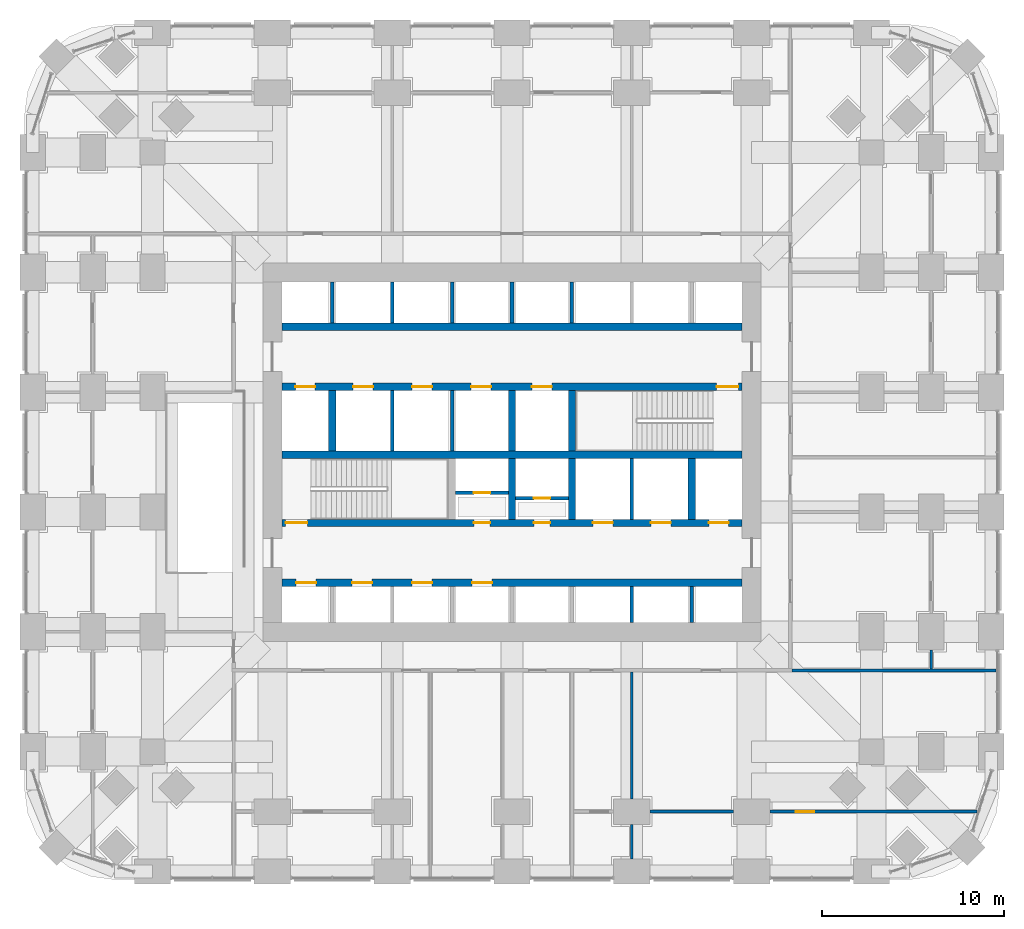
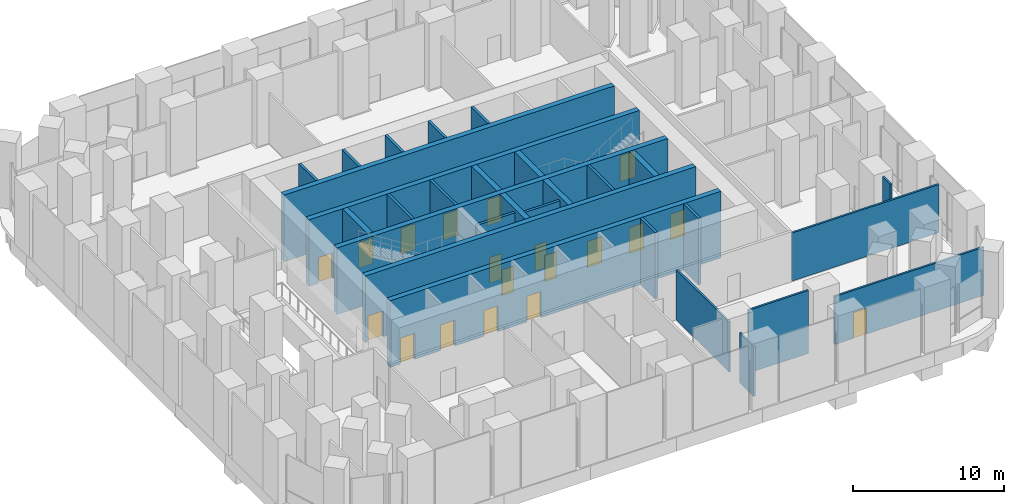
# One storey, part 12 of 17: 29 walls, 19 doors, 19 openings.
"""IFC4 building model written with IfcOpenShell, lengths in metres."""

import ifcopenshell
import ifcopenshell.guid

model = None  # the IFC model being written
_history = None  # IfcOwnerHistory: only IFC2X3 demands one
_inside = {}  # id of a spatial element -> (the spatial element, [elements in it])
_under = {}  # id of a project, library or spatial element -> (it, [spatial elements below it])
_declared = {}  # id of a project -> (the project, [libraries it declares])
_typed = {}  # id of a type object -> (the type object, [elements of that type])
_made_of = {}  # id of a material, layer set ... -> (it, [elements and type objects made of it])


def new_model(schema):
    """Start an empty IFC model of exactly this schema.

    Asked for "IFC4X3", IfcOpenShell would pick the latest addendum, in which some entities
    have other attributes; the version numbers below select the first issue.
    IFC2X3 requires an IfcOwnerHistory on every rooted entity: one is made here for all.
    """
    global model, _history
    if schema == "IFC4X3":
        model = ifcopenshell.file(schema_version=(4, 3, 0, 0))
    else:
        model = ifcopenshell.file(schema=schema)
    _inside.clear()
    _under.clear()
    _declared.clear()
    _typed.clear()
    _made_of.clear()
    _history = None
    if model.schema == "IFC2X3":
        org = make("IfcOrganization", Name="unknown")
        user = make(
            "IfcPersonAndOrganization",
            ThePerson=make("IfcPerson", FamilyName="unknown"),
            TheOrganization=org,
        )
        app = make(
            "IfcApplication",
            ApplicationDeveloper=org,
            Version="unknown",
            ApplicationFullName="unknown",
            ApplicationIdentifier="unknown",
        )
        _history = make(
            "IfcOwnerHistory",
            OwningUser=user,
            OwningApplication=app,
            ChangeAction="ADDED",
            CreationDate=0,
        )
    return model


def make(cls, **values):
    """One entity of the class cls with the attributes given. An attribute that is None is left unset."""
    return model.create_entity(
        cls, **{name: value for name, value in values.items() if value is not None}
    )


def rooted(cls, **values):
    """An entity with a GlobalId (a new one), such as an element, a storey or a relation."""
    return make(cls, GlobalId=ifcopenshell.guid.new(), OwnerHistory=_history, **values)


def si_unit(unit_type, name, prefix=None):
    """IfcSIUnit, for example si_unit("LENGTHUNIT", "METRE", prefix="MILLI")."""
    return make("IfcSIUnit", UnitType=unit_type, Prefix=prefix, Name=name)


def assignment(units):
    """IfcUnitAssignment: the units of a project."""
    return None if units is None else make("IfcUnitAssignment", Units=units)


def point(xyz):
    """IfcCartesianPoint."""
    return None if xyz is None else make("IfcCartesianPoint", Coordinates=xyz)


def direction(xyz):
    """IfcDirection."""
    return None if xyz is None else make("IfcDirection", DirectionRatios=xyz)


def frame(location, z_axis=None, x_axis=None):
    """IfcAxis2Placement3D, a coordinate frame: its origin and axes. An axis left out is left unset."""
    return make(
        "IfcAxis2Placement3D",
        Location=point(location),
        Axis=direction(z_axis),
        RefDirection=direction(x_axis),
    )


def frame_2d(location, x_axis=None):
    """IfcAxis2Placement2D, a coordinate frame in the plane: its origin and x axis."""
    return make(
        "IfcAxis2Placement2D", Location=point(location), RefDirection=direction(x_axis)
    )


def origin():
    """The frame at (0, 0, 0) with its axes left unset."""
    return frame((0.0, 0.0, 0.0))


def place(relative_to, where):
    """IfcLocalPlacement: puts the frame where relative to a parent placement (None: the world)."""
    return make(
        "IfcLocalPlacement", PlacementRelTo=relative_to, RelativePlacement=where
    )


def context(
    kind, dimensions, precision=None, world=None, true_north=None, identifier=None
):
    """IfcGeometricRepresentationContext, for example the 3D "Model" context."""
    return make(
        "IfcGeometricRepresentationContext",
        ContextIdentifier=identifier,
        ContextType=kind,
        CoordinateSpaceDimension=dimensions,
        Precision=precision,
        WorldCoordinateSystem=world,
        TrueNorth=true_north,
    )


def subcontext(parent, identifier, kind, view, scale=None):
    """IfcGeometricRepresentationSubContext, for example "Body" below "Model"."""
    return make(
        "IfcGeometricRepresentationSubContext",
        ContextIdentifier=identifier,
        ContextType=kind,
        ParentContext=parent,
        TargetScale=scale,
        TargetView=view,
    )


def project(units=None, contexts=None):
    """IfcProject with its units and contexts."""
    return rooted(
        "IfcProject",
        Name="project",
        RepresentationContexts=contexts,
        UnitsInContext=assignment(units),
    )


def spatial(cls, under=None, at=None, **own):
    """A site, building, storey or space (cls), placed at a placement, below another one or the project."""
    s = rooted(cls, ObjectPlacement=at, **own)
    if under is not None:
        _under.setdefault(under.id(), (under, []))[1].append(s)
    return s


def profile(cls, at=None, kind="AREA", **sizes):
    """A parametric profile (cls). Its sizes go by their IFC names, for example OverallWidth=200.0."""
    return make(cls, ProfileType=kind, Position=at, **sizes)


def rectangle(**sizes):
    """IfcRectangleProfileDef."""
    return profile("IfcRectangleProfileDef", **sizes)


def extrude(swept, where, along, depth):
    """IfcExtrudedAreaSolid: the profile swept, set in the frame where, extruded along a direction by depth."""
    return make(
        "IfcExtrudedAreaSolid",
        SweptArea=swept,
        Position=where,
        ExtrudedDirection=direction(along),
        Depth=depth,
    )


def shape(context_of_items, identifier, shape_type, items):
    """IfcShapeRepresentation: the items that make up one representation, for example the "Body"."""
    return make(
        "IfcShapeRepresentation",
        ContextOfItems=context_of_items,
        RepresentationIdentifier=identifier,
        RepresentationType=shape_type,
        Items=items,
    )


def material(Name=None, Category=None):
    """IfcMaterial."""
    return make("IfcMaterial", Name=Name, Category=Category)


def layer(
    of_material, thickness, ventilated=None, Name=None, Category=None, Priority=None
):
    """IfcMaterialLayer: one layer of a wall or slab, of a material (None: an air gap)."""
    return make(
        "IfcMaterialLayer",
        Material=of_material,
        LayerThickness=thickness,
        IsVentilated=ventilated,
        Name=Name,
        Category=Category,
        Priority=Priority,
    )


def layer_set(layers, Name=None):
    """IfcMaterialLayerSet."""
    return make("IfcMaterialLayerSet", MaterialLayers=layers, LayerSetName=Name)


def made_of(thing, what):
    """Note that an element or type object is made of a material, layer set ...; save() writes the relation."""
    if what is not None:
        _made_of.setdefault(what.id(), (what, []))[1].append(thing)
    return thing


def type_object(cls, material=None, **own):
    """A type object (cls), such as IfcWallType, which elements share."""
    return made_of(rooted(cls, **own), material)


def element(
    cls,
    number,
    at=None,
    inside=None,
    cuts=None,
    type_object=None,
    material=None,
    context=None,
    identifier="Body",
    shape_type=None,
    held_by="IfcProductDefinitionShape",
    body=None,
    shapes=None,
    **own,
):
    """One element of the class cls, such as IfcWall. Its Tag is "e" and its number.

    at: its placement. inside: the storey or other place that contains it. cuts: it is an
    opening in that element (IfcRelVoidsElement). A single representation is given by context,
    identifier, shape_type and body (its items); several are given by shapes. held_by: the class
    of the entity that holds the representations. save() writes the other relations.
    """
    e = rooted(cls, Tag="e%d" % number, ObjectPlacement=at, **own)
    if body is not None:
        shapes = [shape(context, identifier, shape_type, body)]
    if shapes is not None:
        e.Representation = make(held_by, Representations=shapes)
    if inside is not None:
        _inside.setdefault(inside.id(), (inside, []))[1].append(e)
    if cuts is not None:
        rooted(
            "IfcRelVoidsElement", RelatingBuildingElement=cuts, RelatedOpeningElement=e
        )
    if type_object is not None:
        _typed.setdefault(type_object.id(), (type_object, []))[1].append(e)
    return made_of(e, material)


def fill(opening, filler):
    """IfcRelFillsElement: the door or window that sits in an opening."""
    return rooted(
        "IfcRelFillsElement",
        RelatingOpeningElement=opening,
        RelatedBuildingElement=filler,
    )


def aggregate(whole, parts):
    """IfcRelAggregates: a whole, such as a stair, and the parts it consists of."""
    return rooted("IfcRelAggregates", RelatingObject=whole, RelatedObjects=parts)


def save(model, path):
    """Write the relations noted so far, then the file.

    IfcRelAggregates (storeys below a building ...), IfcRelContainedInSpatialStructure (elements
    in a storey), IfcRelDefinesByType, IfcRelAssociatesMaterial and IfcRelDeclares: one each for
    every whole, place, type object, material and project.
    """
    for whole, parts in _under.values():
        aggregate(whole, parts)
    for where, things in _inside.values():
        rooted(
            "IfcRelContainedInSpatialStructure",
            RelatedElements=things,
            RelatingStructure=where,
        )
    for kind, things in _typed.values():
        rooted("IfcRelDefinesByType", RelatedObjects=things, RelatingType=kind)
    for what, things in _made_of.values():
        rooted("IfcRelAssociatesMaterial", RelatedObjects=things, RelatingMaterial=what)
    for by, libraries in _declared.values():
        rooted("IfcRelDeclares", RelatingContext=by, RelatedDefinitions=libraries)
    model.write(path)


model = new_model("IFC4")

# Units and contexts
model_context = context("Model", 3, precision=1e-05, world=origin(), true_north=direction((0.0, 1.0)))
body_context = subcontext(model_context, "Body", "Model", "MODEL_VIEW")
ifc_project = project(units=[si_unit("LENGTHUNIT", "METRE"), si_unit("AREAUNIT", "SQUARE_METRE"), si_unit("VOLUMEUNIT", "CUBIC_METRE"), si_unit("PLANEANGLEUNIT", "RADIAN"), si_unit("MASSUNIT", "GRAM", prefix="KILO")], contexts=[model_context])

# Site, building, storey
site_placement = place(None, origin())
site = spatial("IfcSite", under=ifc_project, at=site_placement, CompositionType="ELEMENT")
building_placement = place(site_placement, origin())
building = spatial("IfcBuilding", under=site, at=building_placement, Name="Cobogo Forest Laboratory Tower", CompositionType="ELEMENT")
storey_placement = place(building_placement, frame((0.0, 0.0, 7.199951171875)))
storey = spatial("IfcBuildingStorey", under=building, at=storey_placement, Name="L01", CompositionType="ELEMENT", Elevation=7.199951171875)

# Wall, openings, doors
ifc_material_1 = material(Name="Concrete HA-50 (C50/60)", Category="concrete")
ifc_layer_1 = layer(ifc_material_1, 0.39990234375)
ifc_layer_set_1 = layer_set([ifc_layer_1], Name="CI400 core inner wall 400")
wall_type_1 = type_object("IfcWallType", Name="CI400 core inner wall 400", PredefinedType="SHEAR", material=ifc_layer_set_1)
wall_1_placement = place(storey_placement, frame((13.72509765625, 15.89990234375, 0.0), z_axis=(0.0, 0.0, 1.0), x_axis=(1.0, 0.0, 0.0)))
wall_1 = element("IfcWall", 1, at=wall_1_placement, inside=storey, type_object=wall_type_1, Name="Core wall CI-15.9 L01", PredefinedType="SHEAR", context=body_context, shape_type="SweptSolid", body=[
    extrude(rectangle(XDim=25.349853515625, YDim=0.39990234375, at=frame_2d((12.6748046875, 0.0))), origin(), (0.0, 0.0, 1.0), 5.400146484375),
])
opening_1_placement = place(wall_1_placement, frame((0.78759765625, 0.0, 0.0)))
opening_1 = element("IfcOpeningElement", 2, at=opening_1_placement, cuts=wall_1, Name="Opening L01-LD-LA1", PredefinedType="OPENING", context=body_context, shape_type="SweptSolid", body=[
    extrude(rectangle(XDim=1.10009765625, YDim=2.10009765625, at=frame_2d((0.550048828125, 1.050048828125))), frame((0.0, 0.2099609375, 0.0), z_axis=(0.0, -1.0, 0.0), x_axis=(1.0, 0.0, 0.0)), (0.0, 0.0, 1.0), 0.419921875),
])
opening_2_placement = place(wall_1_placement, frame((3.875, 0.0, 0.0)))
opening_2 = element("IfcOpeningElement", 3, at=opening_2_placement, cuts=wall_1, Name="Opening L01-LD-LA2", PredefinedType="OPENING", context=body_context, shape_type="SweptSolid", body=[
    extrude(rectangle(XDim=1.10009765625, YDim=2.10009765625, at=frame_2d((0.550048828125, 1.050048828125))), frame((0.0, 0.2099609375, 0.0), z_axis=(0.0, -1.0, 0.0), x_axis=(1.0, 0.0, 0.0)), (0.0, 0.0, 1.0), 0.419921875),
])
opening_3_placement = place(wall_1_placement, frame((7.175048828125, 0.0, 0.0)))
opening_3 = element("IfcOpeningElement", 4, at=opening_3_placement, cuts=wall_1, Name="Opening L01-LD-LA3", PredefinedType="OPENING", context=body_context, shape_type="SweptSolid", body=[
    extrude(rectangle(XDim=1.10009765625, YDim=2.10009765625, at=frame_2d((0.550048828125, 1.050048828125))), frame((0.0, 0.2099609375, 0.0), z_axis=(0.0, -1.0, 0.0), x_axis=(1.0, 0.0, 0.0)), (0.0, 0.0, 1.0), 0.419921875),
])
opening_4_placement = place(wall_1_placement, frame((10.47509765625, 0.0, 0.0)))
opening_4 = element("IfcOpeningElement", 5, at=opening_4_placement, cuts=wall_1, Name="Opening L01-LD-LA4", PredefinedType="OPENING", context=body_context, shape_type="SweptSolid", body=[
    extrude(rectangle(XDim=1.10009765625, YDim=2.10009765625, at=frame_2d((0.550048828125, 1.050048828125))), frame((0.0, 0.2099609375, 0.0), z_axis=(0.0, -1.0, 0.0), x_axis=(1.0, 0.0, 0.0)), (0.0, 0.0, 1.0), 0.419921875),
])
ifc_material_2 = material(Name="Stainless steel lift door", Category="steel")
door_type_1 = type_object("IfcDoorType", Name="LD lift landing door 1100", OperationType="DOUBLE_DOOR_SLIDING", PredefinedType="DOOR", material=ifc_material_2)
door_1_placement = place(opening_1_placement, origin())
door_1 = element("IfcDoor", 6, at=door_1_placement, inside=storey, type_object=door_type_1, Name="Lift landing door LA1 L01", OperationType="DOUBLE_DOOR_SLIDING", OverallHeight=2.10009765625, OverallWidth=1.10009765625, PredefinedType="DOOR", context=body_context, shape_type="SweptSolid", body=[
    extrude(rectangle(XDim=1.10009765625, YDim=2.10009765625, at=frame_2d((0.550048828125, 1.050048828125))), frame((0.0, 0.02490234375, 0.0), z_axis=(0.0, -1.0, 0.0), x_axis=(1.0, 0.0, 0.0)), (0.0, 0.0, 1.0), 0.050048828125),
])
fill(opening_1, door_1)
door_2_placement = place(opening_2_placement, origin())
door_2 = element("IfcDoor", 7, at=door_2_placement, inside=storey, type_object=door_type_1, Name="Lift landing door LA2 L01", OperationType="DOUBLE_DOOR_SLIDING", OverallHeight=2.10009765625, OverallWidth=1.10009765625, PredefinedType="DOOR", context=body_context, shape_type="SweptSolid", body=[
    extrude(rectangle(XDim=1.10009765625, YDim=2.10009765625, at=frame_2d((0.550048828125, 1.050048828125))), frame((0.0, 0.02490234375, 0.0), z_axis=(0.0, -1.0, 0.0), x_axis=(1.0, 0.0, 0.0)), (0.0, 0.0, 1.0), 0.050048828125),
])
fill(opening_2, door_2)
door_3_placement = place(opening_3_placement, origin())
door_3 = element("IfcDoor", 8, at=door_3_placement, inside=storey, type_object=door_type_1, Name="Lift landing door LA3 L01", OperationType="DOUBLE_DOOR_SLIDING", OverallHeight=2.10009765625, OverallWidth=1.10009765625, PredefinedType="DOOR", context=body_context, shape_type="SweptSolid", body=[
    extrude(rectangle(XDim=1.10009765625, YDim=2.10009765625, at=frame_2d((0.550048828125, 1.050048828125))), frame((0.0, 0.02490234375, 0.0), z_axis=(0.0, -1.0, 0.0), x_axis=(1.0, 0.0, 0.0)), (0.0, 0.0, 1.0), 0.050048828125),
])
fill(opening_3, door_3)
door_4_placement = place(opening_4_placement, origin())
door_4 = element("IfcDoor", 9, at=door_4_placement, inside=storey, type_object=door_type_1, Name="Lift landing door LA4 L01", OperationType="DOUBLE_DOOR_SLIDING", OverallHeight=2.10009765625, OverallWidth=1.10009765625, PredefinedType="DOOR", context=body_context, shape_type="SweptSolid", body=[
    extrude(rectangle(XDim=1.10009765625, YDim=2.10009765625, at=frame_2d((0.550048828125, 1.050048828125))), frame((0.0, 0.02490234375, 0.0), z_axis=(0.0, -1.0, 0.0), x_axis=(1.0, 0.0, 0.0)), (0.0, 0.0, 1.0), 0.050048828125),
])
fill(opening_4, door_4)

wall_2_placement = place(storey_placement, frame((13.72509765625, 19.199951171875, 0.0), z_axis=(0.0, 0.0, 1.0), x_axis=(1.0, 0.0, 0.0)))
wall_2 = element("IfcWall", 10, at=wall_2_placement, inside=storey, type_object=wall_type_1, Name="Core wall CI-19.2 L01", PredefinedType="SHEAR", context=body_context, shape_type="SweptSolid", body=[
    extrude(rectangle(XDim=25.349853515625, YDim=0.39990234375, at=frame_2d((12.6748046875, 0.0))), origin(), (0.0, 0.0, 1.0), 5.400146484375),
])
opening_5_placement = place(wall_2_placement, frame((10.574951171875, 0.0, 0.0)))
opening_5 = element("IfcOpeningElement", 11, at=opening_5_placement, cuts=wall_2, Name="Opening L01-D17", PredefinedType="OPENING", context=body_context, shape_type="SweptSolid", body=[
    extrude(rectangle(XDim=0.89990234375, YDim=2.10009765625, at=frame_2d((0.449951171875, 1.050048828125))), frame((0.0, 0.2099609375, 0.0), z_axis=(0.0, -1.0, 0.0), x_axis=(1.0, 0.0, 0.0)), (0.0, 0.0, 1.0), 0.419921875),
])
opening_6_placement = place(wall_2_placement, frame((13.875, 0.0, 0.0)))
opening_6 = element("IfcOpeningElement", 12, at=opening_6_placement, cuts=wall_2, Name="Opening L01-D18", PredefinedType="OPENING", context=body_context, shape_type="SweptSolid", body=[
    extrude(rectangle(XDim=0.89990234375, YDim=2.10009765625, at=frame_2d((0.449951171875, 1.050048828125))), frame((0.0, 0.2099609375, 0.0), z_axis=(0.0, -1.0, 0.0), x_axis=(1.0, 0.0, 0.0)), (0.0, 0.0, 1.0), 0.419921875),
])
opening_7_placement = place(wall_2_placement, frame((0.199951171875, 0.0, 0.0)))
opening_7 = element("IfcOpeningElement", 13, at=opening_7_placement, cuts=wall_2, Name="Opening L01-D16", PredefinedType="OPENING", context=body_context, shape_type="SweptSolid", body=[
    extrude(rectangle(XDim=1.199951171875, YDim=2.10009765625, at=frame_2d((0.60009765625, 1.050048828125))), frame((0.0, 0.2099609375, 0.0), z_axis=(0.0, -1.0, 0.0), x_axis=(1.0, 0.0, 0.0)), (0.0, 0.0, 1.0), 0.419921875),
])
opening_8_placement = place(wall_2_placement, frame((23.512451171875, 0.0, 0.0)))
opening_8 = element("IfcOpeningElement", 14, at=opening_8_placement, cuts=wall_2, Name="Opening L01-LD-FL2", PredefinedType="OPENING", context=body_context, shape_type="SweptSolid", body=[
    extrude(rectangle(XDim=1.10009765625, YDim=2.10009765625, at=frame_2d((0.550048828125, 1.050048828125))), frame((0.0, 0.2099609375, 0.0), z_axis=(0.0, -1.0, 0.0), x_axis=(1.0, 0.0, 0.0)), (0.0, 0.0, 1.0), 0.419921875),
])
opening_9_placement = place(wall_2_placement, frame((17.125, 0.0, 0.0)))
opening_9 = element("IfcOpeningElement", 15, at=opening_9_placement, cuts=wall_2, Name="Opening L01-LD-LS1", PredefinedType="OPENING", context=body_context, shape_type="SweptSolid", body=[
    extrude(rectangle(XDim=1.10009765625, YDim=2.10009765625, at=frame_2d((0.550048828125, 1.050048828125))), frame((0.0, 0.2099609375, 0.0), z_axis=(0.0, -1.0, 0.0), x_axis=(1.0, 0.0, 0.0)), (0.0, 0.0, 1.0), 0.419921875),
])
opening_10_placement = place(wall_2_placement, frame((20.324951171875, 0.0, 0.0)))
opening_10 = element("IfcOpeningElement", 16, at=opening_10_placement, cuts=wall_2, Name="Opening L01-LD-LS2", PredefinedType="OPENING", context=body_context, shape_type="SweptSolid", body=[
    extrude(rectangle(XDim=1.10009765625, YDim=2.10009765625, at=frame_2d((0.550048828125, 1.050048828125))), frame((0.0, 0.2099609375, 0.0), z_axis=(0.0, -1.0, 0.0), x_axis=(1.0, 0.0, 0.0)), (0.0, 0.0, 1.0), 0.419921875),
])
ifc_material_3 = material(Name="Steel fire door", Category="steel")
door_type_2 = type_object("IfcDoorType", Name="DS1 protected stair door 1200 EI2 60", OperationType="SINGLE_SWING_LEFT", PredefinedType="DOOR", material=ifc_material_3)
door_5_placement = place(opening_7_placement, origin())
door_5 = element("IfcDoor", 17, at=door_5_placement, inside=storey, type_object=door_type_2, Name="Door L01-ST1", OperationType="SINGLE_SWING_LEFT", OverallHeight=2.10009765625, OverallWidth=1.199951171875, PredefinedType="DOOR", context=body_context, shape_type="SweptSolid", body=[
    extrude(rectangle(XDim=1.199951171875, YDim=2.10009765625, at=frame_2d((0.60009765625, 1.050048828125))), frame((0.0, 0.02490234375, 0.0), z_axis=(0.0, -1.0, 0.0), x_axis=(1.0, 0.0, 0.0)), (0.0, 0.0, 1.0), 0.050048828125),
])
fill(opening_7, door_5)
door_type_3 = type_object("IfcDoorType", Name="FD4 riser access door 900 EI2 60", OperationType="SINGLE_SWING_LEFT", PredefinedType="DOOR", material=ifc_material_3)
door_6_placement = place(opening_5_placement, origin())
door_6 = element("IfcDoor", 18, at=door_6_placement, inside=storey, type_object=door_type_3, Name="Door L01-R1V", OperationType="SINGLE_SWING_LEFT", OverallHeight=2.10009765625, OverallWidth=0.89990234375, PredefinedType="DOOR", context=body_context, shape_type="SweptSolid", body=[
    extrude(rectangle(XDim=0.89990234375, YDim=2.10009765625, at=frame_2d((0.449951171875, 1.050048828125))), frame((0.0, 0.02490234375, 0.0), z_axis=(0.0, -1.0, 0.0), x_axis=(1.0, 0.0, 0.0)), (0.0, 0.0, 1.0), 0.050048828125),
])
fill(opening_5, door_6)
door_7_placement = place(opening_6_placement, origin())
door_7 = element("IfcDoor", 19, at=door_7_placement, inside=storey, type_object=door_type_3, Name="Door L01-R2V", OperationType="SINGLE_SWING_RIGHT", OverallHeight=2.10009765625, OverallWidth=0.89990234375, PredefinedType="DOOR", context=body_context, shape_type="SweptSolid", body=[
    extrude(rectangle(XDim=0.89990234375, YDim=2.10009765625, at=frame_2d((0.449951171875, 1.050048828125))), frame((0.0, 0.02490234375, 0.0), z_axis=(0.0, -1.0, 0.0), x_axis=(1.0, 0.0, 0.0)), (0.0, 0.0, 1.0), 0.050048828125),
])
fill(opening_6, door_7)
door_8_placement = place(opening_8_placement, origin())
door_8 = element("IfcDoor", 20, at=door_8_placement, inside=storey, type_object=door_type_1, Name="Lift landing door FL2 L01", OperationType="DOUBLE_DOOR_SLIDING", OverallHeight=2.10009765625, OverallWidth=1.10009765625, PredefinedType="DOOR", context=body_context, shape_type="SweptSolid", body=[
    extrude(rectangle(XDim=1.10009765625, YDim=2.10009765625, at=frame_2d((0.550048828125, 1.050048828125))), frame((0.0, 0.02490234375, 0.0), z_axis=(0.0, -1.0, 0.0), x_axis=(1.0, 0.0, 0.0)), (0.0, 0.0, 1.0), 0.050048828125),
])
fill(opening_8, door_8)
door_9_placement = place(opening_9_placement, origin())
door_9 = element("IfcDoor", 21, at=door_9_placement, inside=storey, type_object=door_type_1, Name="Lift landing door LS1 L01", OperationType="DOUBLE_DOOR_SLIDING", OverallHeight=2.10009765625, OverallWidth=1.10009765625, PredefinedType="DOOR", context=body_context, shape_type="SweptSolid", body=[
    extrude(rectangle(XDim=1.10009765625, YDim=2.10009765625, at=frame_2d((0.550048828125, 1.050048828125))), frame((0.0, 0.02490234375, 0.0), z_axis=(0.0, -1.0, 0.0), x_axis=(1.0, 0.0, 0.0)), (0.0, 0.0, 1.0), 0.050048828125),
])
fill(opening_9, door_9)
door_10_placement = place(opening_10_placement, origin())
door_10 = element("IfcDoor", 22, at=door_10_placement, inside=storey, type_object=door_type_1, Name="Lift landing door LS2 L01", OperationType="DOUBLE_DOOR_SLIDING", OverallHeight=2.10009765625, OverallWidth=1.10009765625, PredefinedType="DOOR", context=body_context, shape_type="SweptSolid", body=[
    extrude(rectangle(XDim=1.10009765625, YDim=2.10009765625, at=frame_2d((0.550048828125, 1.050048828125))), frame((0.0, 0.02490234375, 0.0), z_axis=(0.0, -1.0, 0.0), x_axis=(1.0, 0.0, 0.0)), (0.0, 0.0, 1.0), 0.050048828125),
])
fill(opening_10, door_10)

# Wall
wall_3_placement = place(storey_placement, frame((13.72509765625, 22.949951171875, 0.0), z_axis=(0.0, 0.0, 1.0), x_axis=(1.0, 0.0, 0.0)))
element("IfcWall", 23, at=wall_3_placement, inside=storey, type_object=wall_type_1, Name="Core wall CI-22.95 L01", PredefinedType="SHEAR", context=body_context, shape_type="SweptSolid", body=[
    extrude(rectangle(XDim=25.349853515625, YDim=0.39990234375, at=frame_2d((12.6748046875, 0.0))), origin(), (0.0, 0.0, 1.0), 5.400146484375),
])

# Wall, openings, doors
wall_4_placement = place(storey_placement, frame((13.72509765625, 26.699951171875, 0.0), z_axis=(0.0, 0.0, 1.0), x_axis=(1.0, 0.0, 0.0)))
wall_4 = element("IfcWall", 24, at=wall_4_placement, inside=storey, type_object=wall_type_1, Name="Core wall CI-26.7 L01", PredefinedType="SHEAR", context=body_context, shape_type="SweptSolid", body=[
    extrude(rectangle(XDim=25.349853515625, YDim=0.39990234375, at=frame_2d((12.6748046875, 0.0))), origin(), (0.0, 0.0, 1.0), 5.400146484375),
])
opening_11_placement = place(wall_4_placement, frame((23.949951171875, 0.0, 0.0)))
opening_11 = element("IfcOpeningElement", 25, at=opening_11_placement, cuts=wall_4, Name="Opening L01-D24", PredefinedType="OPENING", context=body_context, shape_type="SweptSolid", body=[
    extrude(rectangle(XDim=1.199951171875, YDim=2.10009765625, at=frame_2d((0.60009765625, 1.050048828125))), frame((0.0, 0.2099609375, 0.0), z_axis=(0.0, -1.0, 0.0), x_axis=(1.0, 0.0, 0.0)), (0.0, 0.0, 1.0), 0.419921875),
])
opening_12_placement = place(wall_4_placement, frame((0.737548828125, 0.0, 0.0)))
opening_12 = element("IfcOpeningElement", 26, at=opening_12_placement, cuts=wall_4, Name="Opening L01-LD-FL1", PredefinedType="OPENING", context=body_context, shape_type="SweptSolid", body=[
    extrude(rectangle(XDim=1.10009765625, YDim=2.10009765625, at=frame_2d((0.550048828125, 1.050048828125))), frame((0.0, 0.2099609375, 0.0), z_axis=(0.0, -1.0, 0.0), x_axis=(1.0, 0.0, 0.0)), (0.0, 0.0, 1.0), 0.419921875),
])
opening_13_placement = place(wall_4_placement, frame((3.925048828125, 0.0, 0.0)))
opening_13 = element("IfcOpeningElement", 27, at=opening_13_placement, cuts=wall_4, Name="Opening L01-LD-LS3", PredefinedType="OPENING", context=body_context, shape_type="SweptSolid", body=[
    extrude(rectangle(XDim=1.10009765625, YDim=2.10009765625, at=frame_2d((0.550048828125, 1.050048828125))), frame((0.0, 0.2099609375, 0.0), z_axis=(0.0, -1.0, 0.0), x_axis=(1.0, 0.0, 0.0)), (0.0, 0.0, 1.0), 0.419921875),
])
opening_14_placement = place(wall_4_placement, frame((7.175048828125, 0.0, 0.0)))
opening_14 = element("IfcOpeningElement", 28, at=opening_14_placement, cuts=wall_4, Name="Opening L01-LD-LS4", PredefinedType="OPENING", context=body_context, shape_type="SweptSolid", body=[
    extrude(rectangle(XDim=1.10009765625, YDim=2.10009765625, at=frame_2d((0.550048828125, 1.050048828125))), frame((0.0, 0.2099609375, 0.0), z_axis=(0.0, -1.0, 0.0), x_axis=(1.0, 0.0, 0.0)), (0.0, 0.0, 1.0), 0.419921875),
])
opening_15_placement = place(wall_4_placement, frame((10.425048828125, 0.0, 0.0)))
opening_15 = element("IfcOpeningElement", 29, at=opening_15_placement, cuts=wall_4, Name="Opening L01-LD-LS5", PredefinedType="OPENING", context=body_context, shape_type="SweptSolid", body=[
    extrude(rectangle(XDim=1.10009765625, YDim=2.10009765625, at=frame_2d((0.550048828125, 1.050048828125))), frame((0.0, 0.2099609375, 0.0), z_axis=(0.0, -1.0, 0.0), x_axis=(1.0, 0.0, 0.0)), (0.0, 0.0, 1.0), 0.419921875),
])
opening_16_placement = place(wall_4_placement, frame((13.77490234375, 0.0, 0.0)))
opening_16 = element("IfcOpeningElement", 30, at=opening_16_placement, cuts=wall_4, Name="Opening L01-LD-LS6", PredefinedType="OPENING", context=body_context, shape_type="SweptSolid", body=[
    extrude(rectangle(XDim=1.10009765625, YDim=2.10009765625, at=frame_2d((0.550048828125, 1.050048828125))), frame((0.0, 0.2099609375, 0.0), z_axis=(0.0, -1.0, 0.0), x_axis=(1.0, 0.0, 0.0)), (0.0, 0.0, 1.0), 0.419921875),
])
door_11_placement = place(opening_11_placement, origin())
door_11 = element("IfcDoor", 31, at=door_11_placement, inside=storey, type_object=door_type_2, Name="Door L01-ST2", OperationType="SINGLE_SWING_RIGHT", OverallHeight=2.10009765625, OverallWidth=1.199951171875, PredefinedType="DOOR", context=body_context, shape_type="SweptSolid", body=[
    extrude(rectangle(XDim=1.199951171875, YDim=2.10009765625, at=frame_2d((0.60009765625, 1.050048828125))), frame((0.0, 0.02490234375, 0.0), z_axis=(0.0, -1.0, 0.0), x_axis=(1.0, 0.0, 0.0)), (0.0, 0.0, 1.0), 0.050048828125),
])
fill(opening_11, door_11)
door_12_placement = place(opening_12_placement, origin())
door_12 = element("IfcDoor", 32, at=door_12_placement, inside=storey, type_object=door_type_1, Name="Lift landing door FL1 L01", OperationType="DOUBLE_DOOR_SLIDING", OverallHeight=2.10009765625, OverallWidth=1.10009765625, PredefinedType="DOOR", context=body_context, shape_type="SweptSolid", body=[
    extrude(rectangle(XDim=1.10009765625, YDim=2.10009765625, at=frame_2d((0.550048828125, 1.050048828125))), frame((0.0, 0.02490234375, 0.0), z_axis=(0.0, -1.0, 0.0), x_axis=(1.0, 0.0, 0.0)), (0.0, 0.0, 1.0), 0.050048828125),
])
fill(opening_12, door_12)
door_13_placement = place(opening_13_placement, origin())
door_13 = element("IfcDoor", 33, at=door_13_placement, inside=storey, type_object=door_type_1, Name="Lift landing door LS3 L01", OperationType="DOUBLE_DOOR_SLIDING", OverallHeight=2.10009765625, OverallWidth=1.10009765625, PredefinedType="DOOR", context=body_context, shape_type="SweptSolid", body=[
    extrude(rectangle(XDim=1.10009765625, YDim=2.10009765625, at=frame_2d((0.550048828125, 1.050048828125))), frame((0.0, 0.02490234375, 0.0), z_axis=(0.0, -1.0, 0.0), x_axis=(1.0, 0.0, 0.0)), (0.0, 0.0, 1.0), 0.050048828125),
])
fill(opening_13, door_13)
door_14_placement = place(opening_14_placement, origin())
door_14 = element("IfcDoor", 34, at=door_14_placement, inside=storey, type_object=door_type_1, Name="Lift landing door LS4 L01", OperationType="DOUBLE_DOOR_SLIDING", OverallHeight=2.10009765625, OverallWidth=1.10009765625, PredefinedType="DOOR", context=body_context, shape_type="SweptSolid", body=[
    extrude(rectangle(XDim=1.10009765625, YDim=2.10009765625, at=frame_2d((0.550048828125, 1.050048828125))), frame((0.0, 0.02490234375, 0.0), z_axis=(0.0, -1.0, 0.0), x_axis=(1.0, 0.0, 0.0)), (0.0, 0.0, 1.0), 0.050048828125),
])
fill(opening_14, door_14)
door_15_placement = place(opening_15_placement, origin())
door_15 = element("IfcDoor", 35, at=door_15_placement, inside=storey, type_object=door_type_1, Name="Lift landing door LS5 L01", OperationType="DOUBLE_DOOR_SLIDING", OverallHeight=2.10009765625, OverallWidth=1.10009765625, PredefinedType="DOOR", context=body_context, shape_type="SweptSolid", body=[
    extrude(rectangle(XDim=1.10009765625, YDim=2.10009765625, at=frame_2d((0.550048828125, 1.050048828125))), frame((0.0, 0.02490234375, 0.0), z_axis=(0.0, -1.0, 0.0), x_axis=(1.0, 0.0, 0.0)), (0.0, 0.0, 1.0), 0.050048828125),
])
fill(opening_15, door_15)
door_16_placement = place(opening_16_placement, origin())
door_16 = element("IfcDoor", 36, at=door_16_placement, inside=storey, type_object=door_type_1, Name="Lift landing door LS6 L01", OperationType="DOUBLE_DOOR_SLIDING", OverallHeight=2.10009765625, OverallWidth=1.10009765625, PredefinedType="DOOR", context=body_context, shape_type="SweptSolid", body=[
    extrude(rectangle(XDim=1.10009765625, YDim=2.10009765625, at=frame_2d((0.550048828125, 1.050048828125))), frame((0.0, 0.02490234375, 0.0), z_axis=(0.0, -1.0, 0.0), x_axis=(1.0, 0.0, 0.0)), (0.0, 0.0, 1.0), 0.050048828125),
])
fill(opening_16, door_16)

# Walls
wall_5_placement = place(storey_placement, frame((13.72509765625, 30.0, 0.0), z_axis=(0.0, 0.0, 1.0), x_axis=(1.0, 0.0, 0.0)))
element("IfcWall", 37, at=wall_5_placement, inside=storey, type_object=wall_type_1, Name="Core wall CI-30.0 L01", PredefinedType="SHEAR", context=body_context, shape_type="SweptSolid", body=[
    extrude(rectangle(XDim=25.349853515625, YDim=0.39990234375, at=frame_2d((12.6748046875, 0.0))), origin(), (0.0, 0.0, 1.0), 5.400146484375),
])
for number, where, z_axis, x_axis, name in (
    (38, (26.39990234375, 19.39990234375, 0.0), (0.0, 0.0, 1.0), (0.0, 1.0, 0.0), "Core wall CX-26.4S L01"),
    (39, (29.699951171875, 19.39990234375, 0.0), (0.0, 0.0, 1.0), (0.0, 1.0, 0.0), "Core wall CX-29.7S L01"),
    (40, (36.300048828125, 19.39990234375, 0.0), (0.0, 0.0, 1.0), (0.0, 1.0, 0.0), "Core wall CX-36.3 L01"),
    (41, (16.5, 23.14990234375, 0.0), (0.0, 0.0, 1.0), (0.0, 1.0, 0.0), "Core wall CX-16.5 L01"),
    (42, (26.39990234375, 23.14990234375, 0.0), (0.0, 0.0, 1.0), (0.0, 1.0, 0.0), "Core wall CX-26.4N L01"),
    (43, (29.699951171875, 23.14990234375, 0.0), (0.0, 0.0, 1.0), (0.0, 1.0, 0.0), "Core wall CX-29.7N L01"),
):
    element("IfcWall", number, at=place(storey_placement, frame(where, z_axis=z_axis, x_axis=x_axis)), inside=storey, type_object=wall_type_1, Name=name, PredefinedType="SHEAR", context=body_context, shape_type="SweptSolid", body=[
        extrude(rectangle(XDim=3.35009765625, YDim=0.39990234375, at=frame_2d((1.675048828125, 0.0))), origin(), (0.0, 0.0, 1.0), 5.400146484375),
    ])
ifc_material_4 = material(Name="Gypsum board on steel studs", Category="steel")
ifc_layer_2 = layer(ifc_material_4, 0.14990234375)
ifc_layer_set_2 = layer_set([ifc_layer_2], Name="PT1 laboratory partition 150")
wall_type_2 = type_object("IfcWallType", Name="PT1 laboratory partition 150", PredefinedType="PARTITIONING", material=ifc_layer_set_2)
wall_6_placement = place(storey_placement, frame((53.070068359375, 11.074951171875, 0.0), z_axis=(0.0, 0.0, 1.0), x_axis=(-1.0, 0.0, 0.0)))
element("IfcWall", 44, at=wall_6_placement, inside=storey, type_object=wall_type_2, Name="Partition PW-SE L01", PredefinedType="PARTITIONING", context=body_context, shape_type="SweptSolid", body=[
    extrude(rectangle(XDim=11.2451171875, YDim=0.14990234375, at=frame_2d((5.62255859375, 0.0))), origin(), (0.0, 0.0, 1.0), 3.900146484375),
])
wall_7_placement = place(storey_placement, frame((34.0, 3.300048828125, 0.0), z_axis=(0.0, 0.0, 1.0), x_axis=(1.0, 0.0, 0.0)))
element("IfcWall", 45, at=wall_7_placement, inside=storey, type_object=wall_type_2, Name="Partition STRIP-S-4 L01", PredefinedType="PARTITIONING", context=body_context, shape_type="SweptSolid", body=[
    extrude(rectangle(XDim=4.60009765625, YDim=0.14990234375, at=frame_2d((2.300048828125, 0.0))), origin(), (0.0, 0.0, 1.0), 5.10009765625),
])

# Wall, opening, door
wall_8_placement = place(storey_placement, frame((40.60009765625, 3.300048828125, 0.0), z_axis=(0.0, 0.0, 1.0), x_axis=(1.0, 0.0, 0.0)))
wall_8 = element("IfcWall", 46, at=wall_8_placement, inside=storey, type_object=wall_type_2, Name="Partition STRIP-S-5 L01", PredefinedType="PARTITIONING", context=body_context, shape_type="SweptSolid", body=[
    extrude(rectangle(XDim=11.423828125, YDim=0.14990234375, at=frame_2d((5.7119140625, 0.0))), origin(), (0.0, 0.0, 1.0), 3.900146484375),
])
opening_17_placement = place(wall_8_placement, frame((1.442138671875, 0.0, 0.0)))
opening_17 = element("IfcOpeningElement", 47, at=opening_17_placement, cuts=wall_8, Name="Opening L01-D03", PredefinedType="OPENING", context=body_context, shape_type="SweptSolid", body=[
    extrude(rectangle(XDim=1.0, YDim=2.10009765625, at=frame_2d((0.5, 1.050048828125))), frame((0.0, 0.0849609375, 0.0), z_axis=(0.0, -1.0, 0.0), x_axis=(1.0, 0.0, 0.0)), (0.0, 0.0, 1.0), 0.169921875),
])
ifc_material_5 = material(Name="Timber fire door", Category="wood")
door_type_4 = type_object("IfcDoorType", Name="FD2 fire door 1000 EI2 30", OperationType="SINGLE_SWING_LEFT", PredefinedType="DOOR", material=ifc_material_5)
door_17_placement = place(opening_17_placement, origin())
door_17 = element("IfcDoor", 48, at=door_17_placement, inside=storey, type_object=door_type_4, Name="Door L01-S3W", OperationType="SINGLE_SWING_LEFT", OverallHeight=2.10009765625, OverallWidth=1.0, PredefinedType="DOOR", context=body_context, shape_type="SweptSolid", body=[
    extrude(rectangle(XDim=1.0, YDim=2.10009765625, at=frame_2d((0.5, 1.050048828125))), frame((0.0, 0.02490234375, 0.0), z_axis=(0.0, -1.0, 0.0), x_axis=(1.0, 0.0, 0.0)), (0.0, 0.0, 1.0), 0.050048828125),
])
fill(opening_17, door_17)

# Walls
wall_9_placement = place(storey_placement, frame((33.0, 0.699951171875, 0.0), z_axis=(0.0, 0.0, 1.0), x_axis=(0.0, 1.0, 0.0)))
element("IfcWall", 49, at=wall_9_placement, inside=storey, type_object=wall_type_2, Name="Partition CUT-S33-1 L01", PredefinedType="PARTITIONING", context=body_context, shape_type="SweptSolid", body=[
    extrude(rectangle(XDim=1.900146484375, YDim=0.14990234375, at=frame_2d((0.9501953125, 0.0))), origin(), (0.0, 0.0, 1.0), 4.050048828125),
])
wall_10_placement = place(storey_placement, frame((33.0, 4.0, 0.0), z_axis=(0.0, 0.0, 1.0), x_axis=(0.0, 1.0, 0.0)))
element("IfcWall", 50, at=wall_10_placement, inside=storey, type_object=wall_type_2, Name="Partition CUT-S33-2 L01", PredefinedType="PARTITIONING", context=body_context, shape_type="SweptSolid", body=[
    extrude(rectangle(XDim=6.97509765625, YDim=0.14990234375, at=frame_2d((3.487548828125, 0.0))), origin(), (0.0, 0.0, 1.0), 4.050048828125),
])
wall_11_placement = place(storey_placement, frame((49.5, 11.14990234375, 0.0), z_axis=(0.0, 0.0, 1.0), x_axis=(0.0, 1.0, 0.0)))
element("IfcWall", 51, at=wall_11_placement, inside=storey, type_object=wall_type_2, Name="Partition STRIP-E-1 L01", PredefinedType="PARTITIONING", context=body_context, shape_type="SweptSolid", body=[
    extrude(rectangle(XDim=1.050048828125, YDim=0.14990234375, at=frame_2d((0.52490234375, 0.0))), origin(), (0.0, 0.0, 1.0), 5.10009765625),
])

# Wall, opening, door
ifc_layer_3 = layer(ifc_material_4, 0.199951171875)
ifc_layer_set_3 = layer_set([ifc_layer_3], Name="PT2 fire-rated corridor partition 200")
wall_type_3 = type_object("IfcWallType", Name="PT2 fire-rated corridor partition 200", PredefinedType="PARTITIONING", material=ifc_layer_set_3)
wall_12_placement = place(storey_placement, frame((23.300048828125, 20.85009765625, 0.0), z_axis=(0.0, 0.0, 1.0), x_axis=(1.0, 0.0, 0.0)))
wall_12 = element("IfcWall", 52, at=wall_12_placement, inside=storey, type_object=wall_type_3, Name="Partition RSPLIT-R1 L01", PredefinedType="PARTITIONING", context=body_context, shape_type="SweptSolid", body=[
    extrude(rectangle(XDim=2.89990234375, YDim=0.199951171875, at=frame_2d((1.449951171875, 0.0))), origin(), (0.0, 0.0, 1.0), 5.10009765625),
])
opening_18_placement = place(wall_12_placement, frame((1.0, 0.0, 0.0)))
opening_18 = element("IfcOpeningElement", 53, at=opening_18_placement, cuts=wall_12, Name="Opening L01-D20", PredefinedType="OPENING", context=body_context, shape_type="SweptSolid", body=[
    extrude(rectangle(XDim=0.89990234375, YDim=2.10009765625, at=frame_2d((0.449951171875, 1.050048828125))), frame((0.0, 0.10986328125, 0.0), z_axis=(0.0, -1.0, 0.0), x_axis=(1.0, 0.0, 0.0)), (0.0, 0.0, 1.0), 0.219970703125),
])
door_18_placement = place(opening_18_placement, origin())
door_18 = element("IfcDoor", 54, at=door_18_placement, inside=storey, type_object=door_type_3, Name="Door L01-R1", OperationType="SINGLE_SWING_LEFT", OverallHeight=2.10009765625, OverallWidth=0.89990234375, PredefinedType="DOOR", context=body_context, shape_type="SweptSolid", body=[
    extrude(rectangle(XDim=0.89990234375, YDim=2.10009765625, at=frame_2d((0.449951171875, 1.050048828125))), frame((0.0, 0.02490234375, 0.0), z_axis=(0.0, -1.0, 0.0), x_axis=(1.0, 0.0, 0.0)), (0.0, 0.0, 1.0), 0.050048828125),
])
fill(opening_18, door_18)

wall_13_placement = place(storey_placement, frame((26.60009765625, 20.550048828125, 0.0), z_axis=(0.0, 0.0, 1.0), x_axis=(1.0, 0.0, 0.0)))
wall_13 = element("IfcWall", 55, at=wall_13_placement, inside=storey, type_object=wall_type_3, Name="Partition RSPLIT-R2 L01", PredefinedType="PARTITIONING", context=body_context, shape_type="SweptSolid", body=[
    extrude(rectangle(XDim=2.89990234375, YDim=0.199951171875, at=frame_2d((1.449951171875, 0.0))), origin(), (0.0, 0.0, 1.0), 5.10009765625),
])
opening_19_placement = place(wall_13_placement, frame((1.0, 0.0, 0.0)))
opening_19 = element("IfcOpeningElement", 56, at=opening_19_placement, cuts=wall_13, Name="Opening L01-D19", PredefinedType="OPENING", context=body_context, shape_type="SweptSolid", body=[
    extrude(rectangle(XDim=0.89990234375, YDim=2.10009765625, at=frame_2d((0.449951171875, 1.050048828125))), frame((0.0, 0.10986328125, 0.0), z_axis=(0.0, -1.0, 0.0), x_axis=(1.0, 0.0, 0.0)), (0.0, 0.0, 1.0), 0.219970703125),
])
door_19_placement = place(opening_19_placement, origin())
door_19 = element("IfcDoor", 57, at=door_19_placement, inside=storey, type_object=door_type_3, Name="Door L01-R2", OperationType="SINGLE_SWING_LEFT", OverallHeight=2.10009765625, OverallWidth=0.89990234375, PredefinedType="DOOR", context=body_context, shape_type="SweptSolid", body=[
    extrude(rectangle(XDim=0.89990234375, YDim=2.10009765625, at=frame_2d((0.449951171875, 1.050048828125))), frame((0.0, 0.02490234375, 0.0), z_axis=(0.0, -1.0, 0.0), x_axis=(1.0, 0.0, 0.0)), (0.0, 0.0, 1.0), 0.050048828125),
])
fill(opening_19, door_19)

# Walls
ifc_material_6 = material(Name="Concrete block", Category="concrete")
ifc_layer_4 = layer(ifc_material_6, 0.199951171875)
ifc_layer_set_4 = layer_set([ifc_layer_4], Name="SW200 lift shaft separator 200")
wall_type_4 = type_object("IfcWallType", Name="SW200 lift shaft separator 200", PredefinedType="PARTITIONING", material=ifc_layer_set_4)
for number, where, z_axis, x_axis, name in (
    (58, (16.5, 30.199951171875, 0.0), (0.0, 0.0, 1.0), (0.0, 1.0, 0.0), "Core wall SEP-N1 L01"),
    (59, (19.800048828125, 30.199951171875, 0.0), (0.0, 0.0, 1.0), (0.0, 1.0, 0.0), "Core wall SEP-N2 L01"),
    (60, (23.10009765625, 30.199951171875, 0.0), (0.0, 0.0, 1.0), (0.0, 1.0, 0.0), "Core wall SEP-N3 L01"),
    (61, (26.39990234375, 30.199951171875, 0.0), (0.0, 0.0, 1.0), (0.0, 1.0, 0.0), "Core wall SEP-N4 L01"),
    (62, (29.699951171875, 30.199951171875, 0.0), (0.0, 0.0, 1.0), (0.0, 1.0, 0.0), "Core wall SEP-N5 L01"),
):
    element("IfcWall", number, at=place(storey_placement, frame(where, z_axis=z_axis, x_axis=x_axis)), inside=storey, type_object=wall_type_4, Name=name, PredefinedType="PARTITIONING", context=body_context, shape_type="SweptSolid", body=[
        extrude(rectangle(XDim=2.275146484375, YDim=0.199951171875, at=frame_2d((1.1376953125, 0.0))), origin(), (0.0, 0.0, 1.0), 5.400146484375),
    ])
for number, where, z_axis, x_axis, name in (
    (63, (33.0, 13.72509765625, 0.0), (0.0, 0.0, 1.0), (0.0, 1.0, 0.0), "Core wall SEP-S6 L01"),
    (64, (36.300048828125, 13.72509765625, 0.0), (0.0, 0.0, 1.0), (0.0, 1.0, 0.0), "Core wall SEP-S7 L01"),
):
    element("IfcWall", number, at=place(storey_placement, frame(where, z_axis=z_axis, x_axis=x_axis)), inside=storey, type_object=wall_type_4, Name=name, PredefinedType="PARTITIONING", context=body_context, shape_type="SweptSolid", body=[
        extrude(rectangle(XDim=1.974853515625, YDim=0.199951171875, at=frame_2d((0.9873046875, 0.0))), origin(), (0.0, 0.0, 1.0), 5.400146484375),
    ])
for number, where, z_axis, x_axis, name in (
    (65, (33.0, 19.39990234375, 0.0), (0.0, 0.0, 1.0), (0.0, 1.0, 0.0), "Core wall SEP-M33.0 L01"),
    (66, (19.800048828125, 23.14990234375, 0.0), (0.0, 0.0, 1.0), (0.0, 1.0, 0.0), "Core wall SEP-M19.8 L01"),
    (67, (23.10009765625, 23.14990234375, 0.0), (0.0, 0.0, 1.0), (0.0, 1.0, 0.0), "Core wall SEP-M23.1 L01"),
):
    element("IfcWall", number, at=place(storey_placement, frame(where, z_axis=z_axis, x_axis=x_axis)), inside=storey, type_object=wall_type_4, Name=name, PredefinedType="PARTITIONING", context=body_context, shape_type="SweptSolid", body=[
        extrude(rectangle(XDim=3.35009765625, YDim=0.199951171875, at=frame_2d((1.675048828125, 0.0))), origin(), (0.0, 0.0, 1.0), 5.400146484375),
    ])

save(model, "model.ifc")
